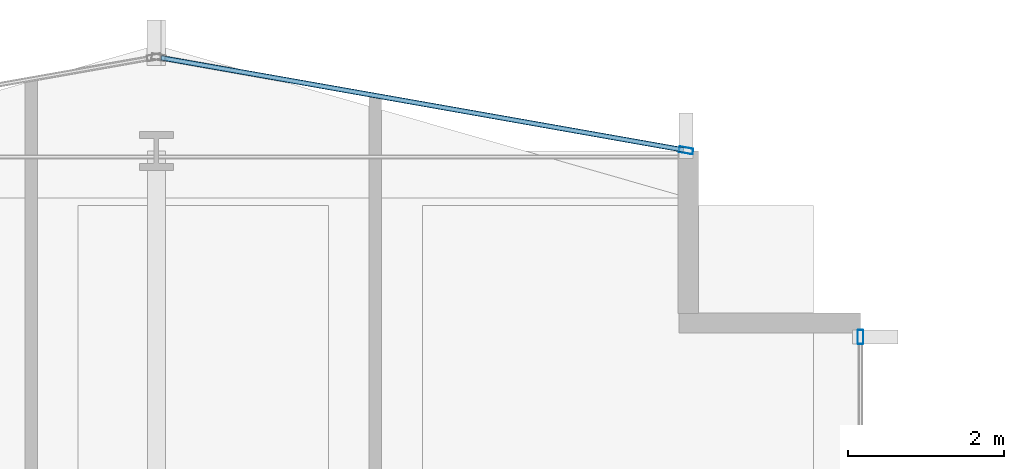
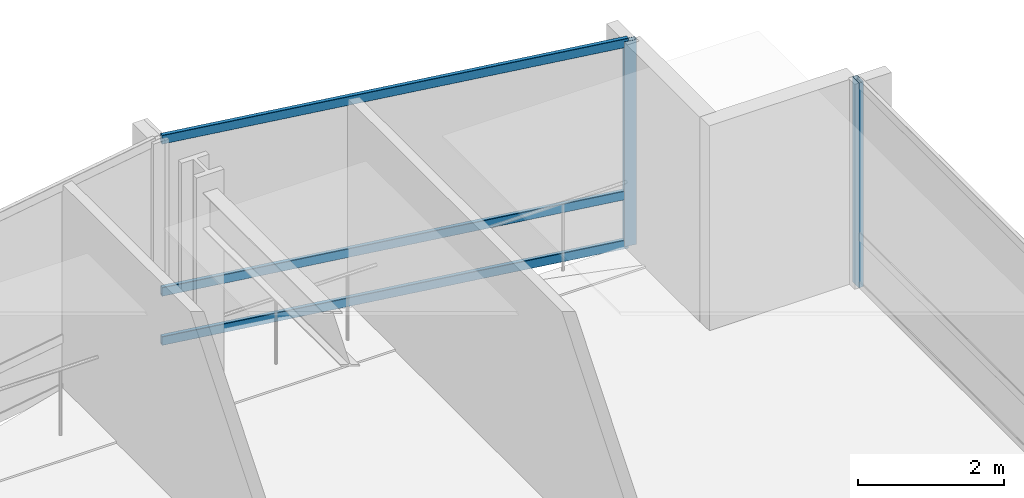
# One storey, part 24 of 34: 5 members, 2 elements without a shape of their own.
"""IFC4 building model written with IfcOpenShell, lengths in metres."""

from ifc_helpers import new_model, si_unit, direction, frame, origin, origin_2d, place, context, subcontext, project, spatial, hollow_rectangle, extrude, material, layer, layer_set, material_profile, profile_set, type_object, element, aggregate, save


model = new_model("IFC4")

# Units and contexts
model_context = context("Model", 3, precision=1e-05, world=origin(), true_north=direction((0.0, 1.0)))
body_context = subcontext(model_context, "Body", "Model", "MODEL_VIEW")
ifc_project = project(units=[si_unit("LENGTHUNIT", "METRE"), si_unit("AREAUNIT", "SQUARE_METRE"), si_unit("VOLUMEUNIT", "CUBIC_METRE"), si_unit("PLANEANGLEUNIT", "RADIAN"), si_unit("MASSUNIT", "GRAM", prefix="KILO")], contexts=[model_context])

# Site, building, storey
site_placement = place(None, origin())
site = spatial("IfcSite", under=ifc_project, at=site_placement, CompositionType="ELEMENT")
building_placement = place(site_placement, origin())
building = spatial("IfcBuilding", under=site, at=building_placement, Name="Solvaryn Broadcast Tower", CompositionType="ELEMENT")
storey_placement = place(building_placement, frame((0.0, 0.0, 54.5)))
storey = spatial("IfcBuildingStorey", under=building, at=storey_placement, Name="L12", CompositionType="ELEMENT", Elevation=54.5)

# Curtain wall, member
ifc_material_1 = material(Name="Aluminium and Terracotta Unitised Curtain Wall", Category="masonry")
ifc_layer = layer(ifc_material_1, 0.199951171875)
ifc_layer_set = layer_set([ifc_layer], Name="CW-SYS2-LOWMID")
curtain_wall_type = type_object("IfcCurtainWallType", Name="CW-SYS2-LOWMID", PredefinedType="NOTDEFINED", material=ifc_layer_set)
curtain_wall_1_placement = place(storey_placement, origin())
curtain_wall_1 = element("IfcCurtainWall", 1, at=curtain_wall_1_placement, inside=storey, type_object=curtain_wall_type, Name="L12 Curtain Wall IV", PredefinedType="NOTDEFINED")
ifc_material_2 = material(Name="Anodised Aluminium 6063-T6", Category="aluminium")
ifc_material_profile_1 = material_profile(ifc_material_2, hollow_rectangle(XDim=0.074951171875, YDim=0.179931640625, WallThickness=0.00390625, InnerFilletRadius=0.00390625, OuterFilletRadius=0.008056640625, at=origin_2d()))
ifc_profile_set_1 = profile_set([ifc_material_profile_1], Name="Anodised Aluminium 6063-T6")
member_type_1 = type_object("IfcMemberType", Name="CW-MUL-180", PredefinedType="MULLION", material=ifc_profile_set_1)
member_1_placement = place(storey_placement, frame((27.0, 51.6201171875, 0.0), z_axis=(0.0, 0.0, 1.0), x_axis=(1.0, 0.0, 0.0)))
member_1 = element("IfcMember", 2, at=member_1_placement, type_object=member_type_1, Name="CWS2 mullion 1", PredefinedType="MULLION", context=body_context, shape_type="SweptSolid", body=[
    extrude(hollow_rectangle(XDim=0.074951171875, YDim=0.179931640625, WallThickness=0.00390625, InnerFilletRadius=0.00390625, OuterFilletRadius=0.008056640625, at=origin_2d()), origin(), (0.0, 0.0, 1.0), 3.419921875),
])
aggregate(curtain_wall_1, [member_1])

# Curtain wall, members
curtain_wall_2_placement = place(storey_placement, origin())
curtain_wall_2 = element("IfcCurtainWall", 3, at=curtain_wall_2_placement, inside=storey, type_object=curtain_wall_type, Name="L12 Curtain Wall NT1", PredefinedType="NOTDEFINED")
member_2_placement = place(storey_placement, frame((24.7705078125, 54.005126953125, 0.0), z_axis=(0.0, 0.0, 1.0), x_axis=(-0.173785333901, -0.984783558819, 0.0)))
member_2 = element("IfcMember", 4, at=member_2_placement, type_object=member_type_1, Name="CWS2 mullion 1", PredefinedType="MULLION", context=body_context, shape_type="SweptSolid", body=[
    extrude(hollow_rectangle(XDim=0.074951171875, YDim=0.179931640625, WallThickness=0.00390625, InnerFilletRadius=0.00390625, OuterFilletRadius=0.008056640625, at=origin_2d()), origin(), (0.0, 0.0, 1.0), 3.419921875),
])
ifc_material_3 = material(Name="Anodised Aluminium 6063-T6", Category="aluminium")
ifc_material_profile_2 = material_profile(ifc_material_3, hollow_rectangle(XDim=0.06494140625, YDim=0.14990234375, WallThickness=0.00390625, InnerFilletRadius=0.00390625, OuterFilletRadius=0.008056640625, at=origin_2d()))
ifc_profile_set_2 = profile_set([ifc_material_profile_2], Name="Anodised Aluminium 6063-T6")
member_type_2 = type_object("IfcMemberType", Name="CW-TRN-150", PredefinedType="USERDEFINED", material=ifc_profile_set_2)
member_3_placement = place(storey_placement, frame((24.740966796875, 54.010498046875, 0.030029296875), z_axis=(-0.984788629673, 0.173756596613, 0.0), x_axis=(-0.173756596613, -0.984788629673, 0.0)))
member_3 = element("IfcMember", 5, at=member_3_placement, type_object=member_type_2, Name="CWS2 transom 1.1", ObjectType="TRANSOM", PredefinedType="USERDEFINED", context=body_context, shape_type="SweptSolid", body=[
    extrude(hollow_rectangle(XDim=0.06494140625, YDim=0.14990234375, WallThickness=0.00390625, InnerFilletRadius=0.00390625, OuterFilletRadius=0.008056640625, at=origin_2d()), origin(), (0.0, 0.0, 1.0), 6.78515625),
])
member_4_placement = place(storey_placement, frame((24.740966796875, 54.010498046875, 0.85009765625), z_axis=(-0.984788629673, 0.173756596613, 0.0), x_axis=(-0.173756596613, -0.984788629673, 0.0)))
member_4 = element("IfcMember", 6, at=member_4_placement, type_object=member_type_2, Name="CWS2 transom 1.2", ObjectType="TRANSOM", PredefinedType="USERDEFINED", context=body_context, shape_type="SweptSolid", body=[
    extrude(hollow_rectangle(XDim=0.06494140625, YDim=0.14990234375, WallThickness=0.00390625, InnerFilletRadius=0.00390625, OuterFilletRadius=0.008056640625, at=origin_2d()), origin(), (0.0, 0.0, 1.0), 6.78515625),
])
member_5_placement = place(storey_placement, frame((24.740966796875, 54.010498046875, 3.389892578125), z_axis=(-0.984788629673, 0.173756596613, 0.0), x_axis=(-0.173756596613, -0.984788629673, 0.0)))
member_5 = element("IfcMember", 7, at=member_5_placement, type_object=member_type_2, Name="CWS2 transom 1.3", ObjectType="TRANSOM", PredefinedType="USERDEFINED", context=body_context, shape_type="SweptSolid", body=[
    extrude(hollow_rectangle(XDim=0.06494140625, YDim=0.14990234375, WallThickness=0.00390625, InnerFilletRadius=0.00390625, OuterFilletRadius=0.008056640625, at=origin_2d()), origin(), (0.0, 0.0, 1.0), 6.78515625),
])
aggregate(curtain_wall_2, [member_2, member_3, member_4, member_5])

save(model, "model.ifc")
